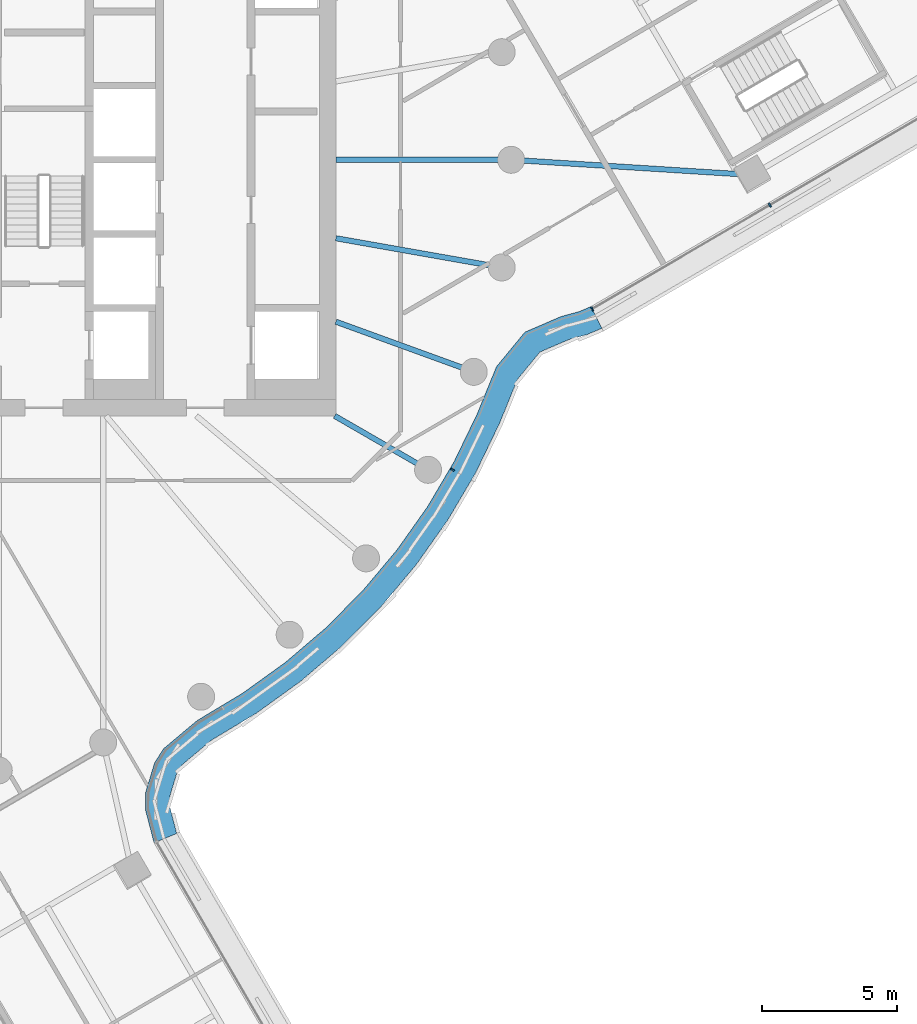
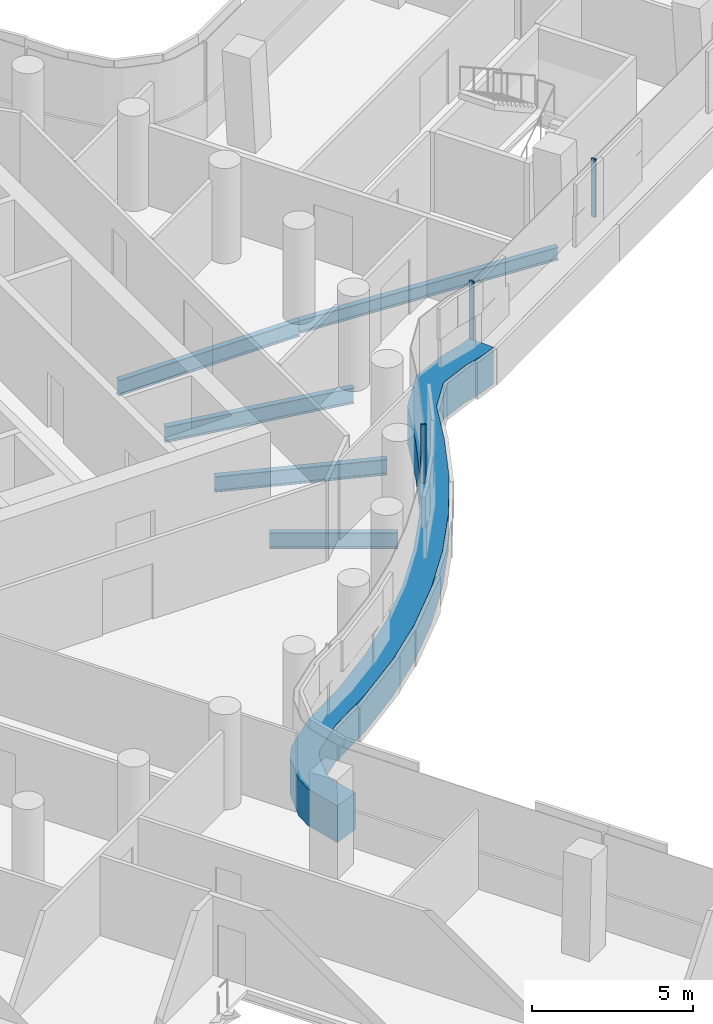
# One storey, part 11 of 35: 5 beams, 4 members, 2 elements without a shape of their own.
"""IFC4 building model written with IfcOpenShell, lengths in metres."""

from ifc_helpers import new_model, si_unit, direction, frame, origin, origin_2d, place, context, subcontext, project, spatial, polyline, rectangle, i_section, outline, extrude, material, layer, layer_set, material_profile, profile_set, type_object, element, aggregate, save


model = new_model("IFC4")

# Units and contexts
model_context = context("Model", 3, precision=1e-05, world=origin(), true_north=direction((0.0, 1.0)))
body_context = subcontext(model_context, "Body", "Model", "MODEL_VIEW")
ifc_project = project(units=[si_unit("LENGTHUNIT", "METRE"), si_unit("AREAUNIT", "SQUARE_METRE"), si_unit("VOLUMEUNIT", "CUBIC_METRE"), si_unit("PLANEANGLEUNIT", "RADIAN"), si_unit("MASSUNIT", "GRAM", prefix="KILO")], contexts=[model_context])

# Site, building, storey
site_placement = place(None, origin())
site = spatial("IfcSite", under=ifc_project, at=site_placement, CompositionType="ELEMENT")
building_placement = place(site_placement, origin())
building = spatial("IfcBuilding", under=site, at=building_placement, Name="Tamarind Cross Interchange Tower", CompositionType="ELEMENT")
storey_placement = place(building_placement, frame((0.0, 0.0, 144.25)))
storey = spatial("IfcBuildingStorey", under=building, at=storey_placement, Name="L35", CompositionType="ELEMENT", Elevation=144.25)

# Beams
ifc_material_1 = material(Name="Steel Q355B", Category="steel")
ifc_material_profile_1 = material_profile(ifc_material_1, i_section(OverallWidth=0.198974609375, OverallDepth=0.49609375, WebThickness=0.009033203125, FlangeThickness=0.013916015625, FilletRadius=0.012939453125, at=origin_2d()), Name="HN 496x199x9x14")
ifc_profile_set_1 = profile_set([ifc_material_profile_1], Name="Steel Q355B")
beam_type_1 = type_object("IfcBeamType", Name="Composite beam HN 496x199x9x14 Q355B", PredefinedType="BEAM", material=ifc_profile_set_1)
beam_1_placement = place(storey_placement, frame((31.941162109375, -0.561279296875, -0.387939453125), z_axis=(-0.998035469088, 0.062651436077, 0.0), x_axis=(-0.062651436077, -0.998035469088, 0.0)))
element("IfcBeam", 1, at=beam_1_placement, inside=storey, type_object=beam_type_1, Name="Beam E-linkem", PredefinedType="BEAM", context=body_context, shape_type="SweptSolid", body=[
    extrude(i_section(OverallWidth=0.198974609375, OverallDepth=0.49609375, WebThickness=0.009033203125, FlangeThickness=0.013916015625, FilletRadius=0.012939453125, at=origin_2d()), origin(), (0.0, 0.0, 1.0), 8.958740234375),
])
ifc_material_profile_2 = material_profile(ifc_material_1, i_section(OverallWidth=0.198974609375, OverallDepth=0.595947265625, WebThickness=0.010009765625, FlangeThickness=0.014892578125, FilletRadius=0.012939453125, at=origin_2d()), Name="HN 596x199x10x15")
ifc_profile_set_2 = profile_set([ifc_material_profile_2], Name="Steel Q355B")
beam_type_2 = type_object("IfcBeamType", Name="Composite beam HN 596x199x10x15 Q355B", PredefinedType="BEAM", material=ifc_profile_set_2)
beam_2_placement = place(storey_placement, frame((23.0, 0.0, -0.43798828125), z_axis=(-1.0, 0.0, 0.0), x_axis=(0.0, -1.0, 0.0)))
element("IfcBeam", 2, at=beam_2_placement, inside=storey, type_object=beam_type_2, Name="Beam HH00", PredefinedType="BEAM", context=body_context, shape_type="SweptSolid", body=[
    extrude(i_section(OverallWidth=0.198974609375, OverallDepth=0.595947265625, WebThickness=0.010009765625, FlangeThickness=0.014892578125, FilletRadius=0.012939453125, at=origin_2d()), origin(), (0.0, 0.0, 1.0), 6.5),
])
beam_3_placement = place(storey_placement, frame((19.918701171875, -11.5, -0.43798828125), z_axis=(-0.866026010844, 0.49999894854, 0.0), x_axis=(-0.49999894854, -0.866026010844, 0.0)))
element("IfcBeam", 3, at=beam_3_placement, inside=storey, type_object=beam_type_2, Name="Beam HH33", PredefinedType="BEAM", context=body_context, shape_type="SweptSolid", body=[
    extrude(i_section(OverallWidth=0.198974609375, OverallDepth=0.595947265625, WebThickness=0.010009765625, FlangeThickness=0.014892578125, FilletRadius=0.012939453125, at=origin_2d()), origin(), (0.0, 0.0, 1.0), 4.0),
])
beam_4_placement = place(storey_placement, frame((21.613037109375, -7.866455078125, -0.43798828125), z_axis=(-0.939701685589, 0.341995236956, 0.0), x_axis=(-0.341995236956, -0.939701685589, 0.0)))
element("IfcBeam", 4, at=beam_4_placement, inside=storey, type_object=beam_type_2, Name="Beam HH34", PredefinedType="BEAM", context=body_context, shape_type="SweptSolid", body=[
    extrude(i_section(OverallWidth=0.198974609375, OverallDepth=0.595947265625, WebThickness=0.010009765625, FlangeThickness=0.014892578125, FilletRadius=0.012939453125, at=origin_2d()), origin(), (0.0, 0.0, 1.0), 5.441162109375),
])
beam_5_placement = place(storey_placement, frame((22.650634765625, -3.993896484375, -0.43798828125), z_axis=(-0.984809127561, 0.173640382036, 0.0), x_axis=(-0.173640382036, -0.984809127561, 0.0)))
element("IfcBeam", 5, at=beam_5_placement, inside=storey, type_object=beam_type_2, Name="Beam HH35", PredefinedType="BEAM", context=body_context, shape_type="SweptSolid", body=[
    extrude(i_section(OverallWidth=0.198974609375, OverallDepth=0.595947265625, WebThickness=0.010009765625, FlangeThickness=0.014892578125, FilletRadius=0.012939453125, at=origin_2d()), origin(), (0.0, 0.0, 1.0), 6.24560546875),
])

# Curtain wall, members
ifc_material_2 = material(Name="Aluminium 6063-T6", Category="aluminium")
ifc_layer = layer(ifc_material_2, 0.159912109375)
ifc_layer_set = layer_set([ifc_layer], Name="Aluminium 6063-T6")
curtain_wall_type = type_object("IfcCurtainWallType", Name="Office curtain wall, 9.0 m bays", PredefinedType="NOTDEFINED", material=ifc_layer_set)
curtain_wall_1_placement = place(storey_placement, origin())
curtain_wall_1 = element("IfcCurtainWall", 6, at=curtain_wall_1_placement, inside=storey, type_object=curtain_wall_type, Name="CWS-L35-06", PredefinedType="NOTDEFINED")
ifc_material_3 = material(Name="Aluminium and insulated spandrel panel", Category="aluminium")
member_type_1 = type_object("IfcMemberType", Name="Floor-edge blade transom", PredefinedType="USERDEFINED", material=ifc_material_3)
member_1_placement = place(storey_placement, origin())
member_1 = element("IfcMember", 7, at=member_1_placement, type_object=member_type_1, Name="CWT-L35-06", ObjectType="TRANSOM", PredefinedType="USERDEFINED", context=body_context, shape_type="SweptSolid", body=[
    extrude(outline(polyline([(9.75390625, -25.33837890625), (9.427978515625, -24.08642578125), (9.43994140625, -23.47265625), (9.7744140625, -22.36669921875), (10.10693359375, -21.84521484375), (11.34814453125, -20.802734375), (13.045654296875, -19.78125), (14.634521484375, -18.636474609375), (16.12353515625, -17.3642578125), (17.50244140625, -15.973388671875), (18.76171875, -14.4736328125), (19.892822265625, -12.874755859375), (20.88818359375, -11.188232421875), (21.741943359375, -9.42236328125), (22.457275390625, -7.671142578125), (23.510498046875, -6.39111328125), (24.8505859375, -5.81298828125), (25.5205078125, -5.6298828125), (25.965576171875, -5.44287109375), (26.36865234375, -6.24951171875), (25.81494140625, -6.482421875), (25.14892578125, -6.66455078125), (24.06689453125, -7.131103515625), (23.23876953125, -8.1376953125), (22.564453125, -9.78857421875), (21.68212890625, -11.613525390625), (20.64892578125, -13.3642578125), (19.474853515625, -15.023681640625), (18.167724609375, -16.580810546875), (16.736572265625, -18.0244140625), (15.19091796875, -19.344970703125), (13.54150390625, -20.533203125), (11.872802734375, -21.537353515625), (10.79150390625, -22.445556640625), (10.599853515625, -22.74609375), (10.33740234375, -23.6142578125), (10.330322265625, -23.97998046875), (10.59375, -24.992431640625), (9.75390625, -25.33837890625)])), origin(), (0.0, 0.0, 1.0), 1.39990234375),
])
ifc_material_profile_3 = material_profile(ifc_material_2, rectangle(XDim=0.06005859375, YDim=0.159912109375, at=origin_2d()), Name="Mullion CW1")
ifc_profile_set_3 = profile_set([ifc_material_profile_3], Name="Aluminium 6063-T6")
member_type_2 = type_object("IfcMemberType", Name="Mullion CW1", PredefinedType="MULLION", material=ifc_profile_set_3)
member_2_placement = place(storey_placement, frame((20.823974609375, -11.493408203125, 1.39990234375), z_axis=(0.0, 0.0, 1.0), x_axis=(0.508183308752, 0.861248933065, 0.0)))
member_2 = element("IfcMember", 8, at=member_2_placement, type_object=member_type_2, Name="CWM-L35-06-02", PredefinedType="MULLION", context=body_context, shape_type="SweptSolid", body=[
    extrude(rectangle(XDim=0.06005859375, YDim=0.159912109375, at=origin_2d()), origin(), (0.0, 0.0, 1.0), 2.210205078125),
])
aggregate(curtain_wall_1, [member_2, member_1])

curtain_wall_2_placement = place(storey_placement, origin())
curtain_wall_2 = element("IfcCurtainWall", 9, at=curtain_wall_2_placement, inside=storey, type_object=curtain_wall_type, Name="CWS-L35-07", PredefinedType="NOTDEFINED")
member_3_placement = place(storey_placement, frame((26.01025390625, -5.532470703125, 1.39990234375), z_axis=(0.0, 0.0, 1.0), x_axis=(0.89455088075, 0.446966130428, 0.0)))
member_3 = element("IfcMember", 10, at=member_3_placement, type_object=member_type_2, Name="CWM-L35-07-00", PredefinedType="MULLION", context=body_context, shape_type="SweptSolid", body=[
    extrude(rectangle(XDim=0.06005859375, YDim=0.159912109375, at=origin_2d()), origin(), (0.0, 0.0, 1.0), 2.210205078125),
])
member_4_placement = place(storey_placement, frame((32.597900390625, -1.68310546875, 1.39990234375), z_axis=(0.0, 0.0, 1.0), x_axis=(0.863402595057, 0.50451556849, 0.0)))
member_4 = element("IfcMember", 11, at=member_4_placement, type_object=member_type_2, Name="CWM-L35-07-01", PredefinedType="MULLION", context=body_context, shape_type="SweptSolid", body=[
    extrude(rectangle(XDim=0.06005859375, YDim=0.159912109375, at=origin_2d()), origin(), (0.0, 0.0, 1.0), 2.210205078125),
])
aggregate(curtain_wall_2, [member_3, member_4])

save(model, "model.ifc")
